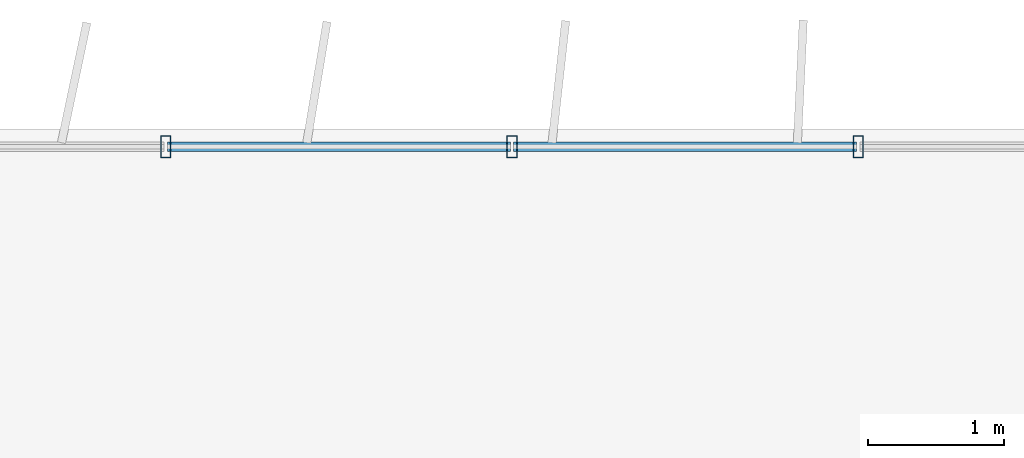
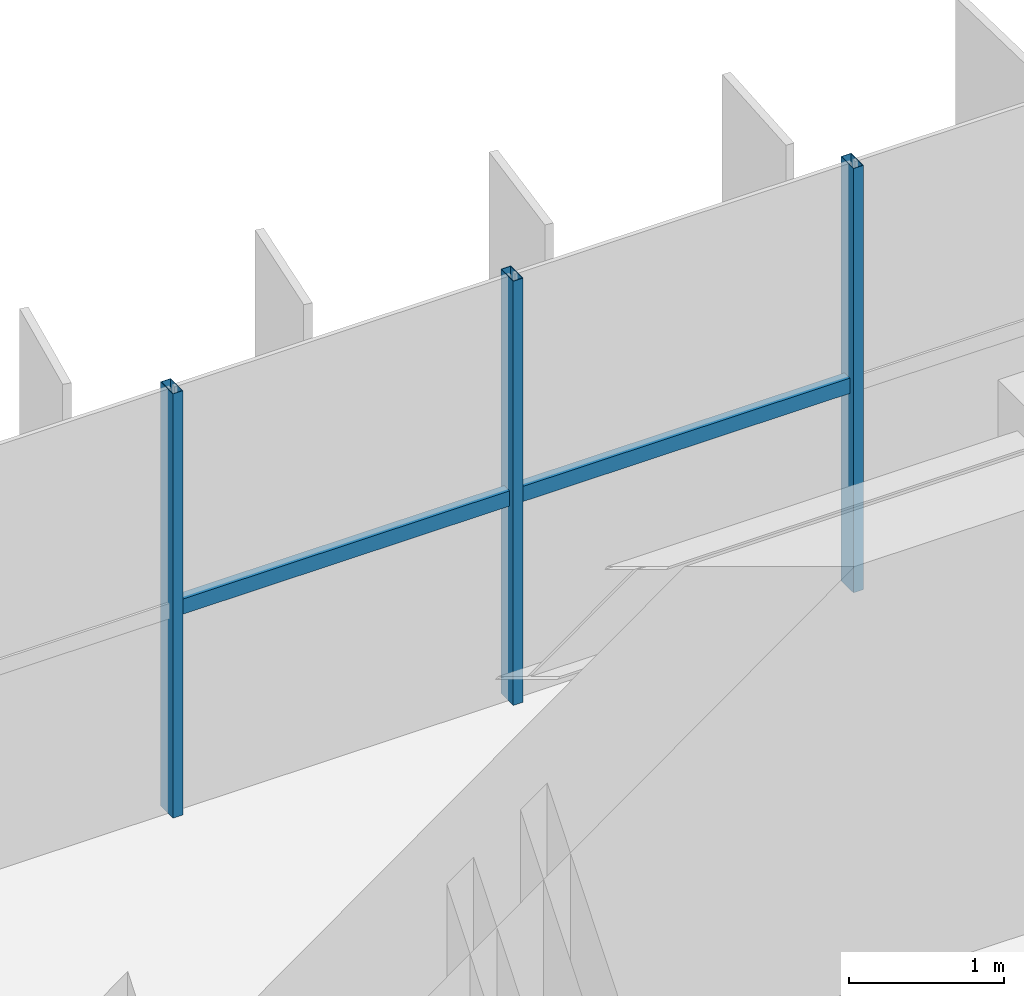
# One storey, part 6 of 20: 5 members, 1 element without a shape of its own.
"""IFC4 building model written with IfcOpenShell, lengths in metres."""

from ifc_helpers import new_model, si_unit, direction, frame, origin, origin_2d, place, context, subcontext, project, spatial, hollow_rectangle, extrude, source, transform, mapped, material, material_profile, profile_set, type_object, element, aggregate, save


model = new_model("IFC4")

# Units and contexts
model_context = context("Model", 3, precision=1e-05, world=origin(), true_north=direction((0.0, 1.0)))
body_context = subcontext(model_context, "Body", "Model", "MODEL_VIEW")
ifc_project = project(units=[si_unit("LENGTHUNIT", "METRE"), si_unit("AREAUNIT", "SQUARE_METRE"), si_unit("VOLUMEUNIT", "CUBIC_METRE"), si_unit("PLANEANGLEUNIT", "RADIAN"), si_unit("MASSUNIT", "GRAM", prefix="KILO")], contexts=[model_context])

# Site, building, storey
site_placement = place(None, origin())
site = spatial("IfcSite", under=ifc_project, at=site_placement, CompositionType="ELEMENT")
building_placement = place(site_placement, origin())
building = spatial("IfcBuilding", under=site, at=building_placement, Name="Trelvane Seafront Commons", CompositionType="ELEMENT")
storey_placement = place(building_placement, frame((0.0, 0.0, 142.89990234375)))
storey = spatial("IfcBuildingStorey", under=building, at=storey_placement, Name="L37", CompositionType="ELEMENT", Elevation=142.89990234375)

# Curtain wall, members
ifc_material = material(Name="Anodised pale-silver aluminium", Category="aluminium")
curtain_wall_type = type_object("IfcCurtainWallType", Name="ARCH-CW5-UPTOWER", PredefinedType="NOTDEFINED", material=ifc_material)
curtain_wall_placement = place(storey_placement, origin())
curtain_wall = element("IfcCurtainWall", 1, at=curtain_wall_placement, inside=storey, type_object=curtain_wall_type, Name="CW-L37-0064", PredefinedType="NOTDEFINED")
ifc_material_profile_1 = material_profile(ifc_material, hollow_rectangle(XDim=0.070068359375, YDim=0.1201171875, WallThickness=0.00390625, at=origin_2d()), Name="TRAN-70x120x4")
ifc_profile_set_1 = profile_set([ifc_material_profile_1], Name="Anodised pale-silver aluminium")
member_type_1 = type_object("IfcMemberType", Name="ARCH-CW-TRAN-120", PredefinedType="USERDEFINED", material=ifc_profile_set_1)
shared_shape_1 = source(origin(), body_context, "Body", "SweptSolid", [
    extrude(hollow_rectangle(XDim=0.070068359375, YDim=0.1201171875, WallThickness=0.00390625, at=origin_2d()), origin(), (0.0, 0.0, 1.0), 2.517333984375),
])
member_1_placement = place(storey_placement, frame((25.776611328125, 48.3701171875, 1.608154296875), z_axis=(1.0, 0.0, 0.0), x_axis=(0.0, 1.0, 0.0)))
member_1 = element("IfcMember", 2, at=member_1_placement, type_object=member_type_1, Name="CW-L37-0064-T04", ObjectType="TRANSOM", PredefinedType="USERDEFINED", context=body_context, shape_type="MappedRepresentation", body=[
    mapped(shared_shape_1, transform((0.0, 0.0, 0.0), x_axis=(1.0, 0.0, 0.0), y_axis=(0.0, 1.0, 0.0), z_axis=(0.0, 0.0, 1.0), scale=1.0)),
])
member_2_placement = place(storey_placement, frame((28.31787109375, 48.3701171875, 1.608154296875), z_axis=(1.0, 0.0, 0.0), x_axis=(0.0, 1.0, 0.0)))
member_2 = element("IfcMember", 3, at=member_2_placement, type_object=member_type_1, Name="CW-L37-0064-T05", ObjectType="TRANSOM", PredefinedType="USERDEFINED", context=body_context, shape_type="MappedRepresentation", body=[
    mapped(shared_shape_1, transform((0.0, 0.0, 0.0), x_axis=(1.0, 0.0, 0.0), y_axis=(0.0, 1.0, 0.0), z_axis=(0.0, 0.0, 1.0), scale=1.0)),
])
ifc_material_profile_2 = material_profile(ifc_material, hollow_rectangle(XDim=0.074951171875, YDim=0.159912109375, WallThickness=0.00390625, at=origin_2d()), Name="MULL-75x160x4")
ifc_profile_set_2 = profile_set([ifc_material_profile_2], Name="Anodised pale-silver aluminium")
member_type_2 = type_object("IfcMemberType", Name="ARCH-CW-MULL-160", PredefinedType="MULLION", material=ifc_profile_set_2)
shared_shape_2 = source(origin(), body_context, "Body", "SweptSolid", [
    extrude(hollow_rectangle(XDim=0.074951171875, YDim=0.159912109375, WallThickness=0.00390625, at=origin_2d()), origin(), (0.0, 0.0, 1.0), 3.35009765625),
])
member_3_placement = place(storey_placement, frame((25.7646484375, 48.3701171875, 0.0), z_axis=(0.0, 0.0, 1.0), x_axis=(1.0, 0.0, 0.0)))
member_3 = element("IfcMember", 4, at=member_3_placement, type_object=member_type_2, Name="CW-L37-0064-M04", PredefinedType="MULLION", context=body_context, shape_type="MappedRepresentation", body=[
    mapped(shared_shape_2, transform((0.0, 0.0, 0.0), x_axis=(1.0, 0.0, 0.0), y_axis=(0.0, 1.0, 0.0), z_axis=(0.0, 0.0, 1.0), scale=1.0)),
])
member_4_placement = place(storey_placement, frame((28.305908203125, 48.3701171875, 0.0), z_axis=(0.0, 0.0, 1.0), x_axis=(1.0, 0.0, 0.0)))
member_4 = element("IfcMember", 5, at=member_4_placement, type_object=member_type_2, Name="CW-L37-0064-M05", PredefinedType="MULLION", context=body_context, shape_type="MappedRepresentation", body=[
    mapped(shared_shape_2, transform((0.0, 0.0, 0.0), x_axis=(1.0, 0.0, 0.0), y_axis=(0.0, 1.0, 0.0), z_axis=(0.0, 0.0, 1.0), scale=1.0)),
])
member_5_placement = place(storey_placement, frame((30.84716796875, 48.3701171875, 0.0), z_axis=(0.0, 0.0, 1.0), x_axis=(1.0, 0.0, 0.0)))
member_5 = element("IfcMember", 6, at=member_5_placement, type_object=member_type_2, Name="CW-L37-0064-M06", PredefinedType="MULLION", context=body_context, shape_type="MappedRepresentation", body=[
    mapped(shared_shape_2, transform((0.0, 0.0, 0.0), x_axis=(1.0, 0.0, 0.0), y_axis=(0.0, 1.0, 0.0), z_axis=(0.0, 0.0, 1.0), scale=1.0)),
])
aggregate(curtain_wall, [member_3, member_4, member_5, member_1, member_2])

save(model, "model.ifc")
